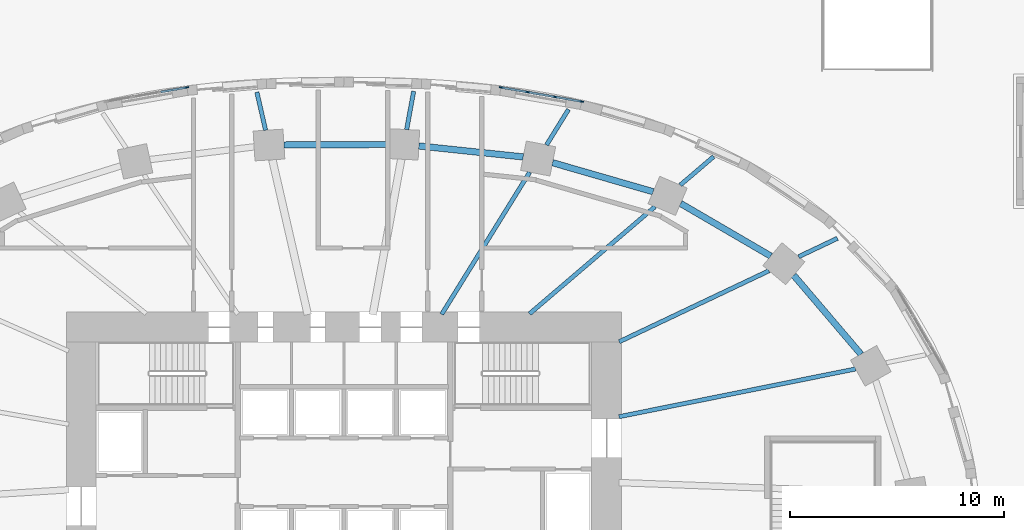
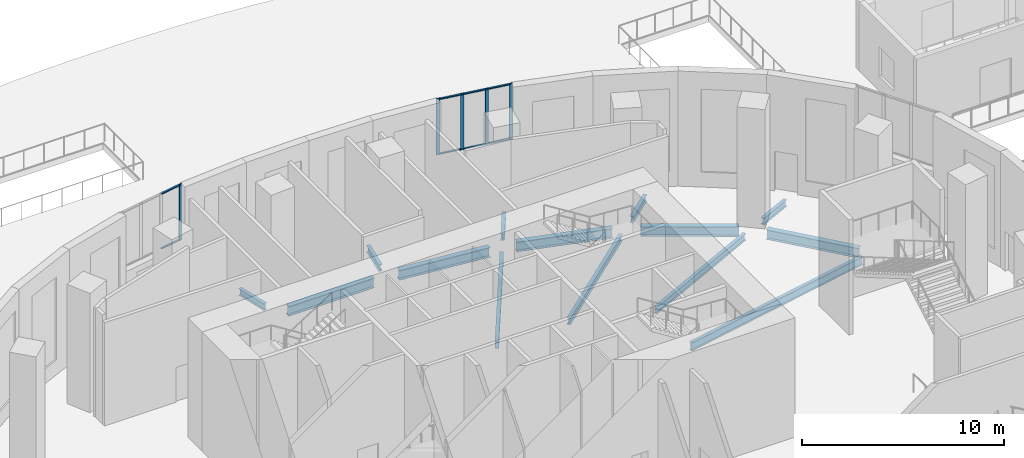
# One storey, part 6 of 27: 14 beams, 13 members, 2 elements without a shape of their own.
"""IFC4 building model written with IfcOpenShell, lengths in metres."""

from ifc_helpers import new_model, si_unit, direction, frame, origin, origin_2d, place, context, subcontext, project, spatial, rectangle, i_section, extrude, material, material_profile, profile_set, type_object, element, aggregate, save


model = new_model("IFC4")

# Units and contexts
model_context = context("Model", 3, precision=1e-05, world=origin(), true_north=direction((0.0, 1.0)))
body_context = subcontext(model_context, "Body", "Model", "MODEL_VIEW")
ifc_project = project(units=[si_unit("LENGTHUNIT", "METRE"), si_unit("AREAUNIT", "SQUARE_METRE"), si_unit("VOLUMEUNIT", "CUBIC_METRE"), si_unit("PLANEANGLEUNIT", "RADIAN"), si_unit("MASSUNIT", "GRAM", prefix="KILO")], contexts=[model_context])

# Site, building, storey
site_placement = place(None, origin())
site = spatial("IfcSite", under=ifc_project, at=site_placement, CompositionType="ELEMENT")
building_placement = place(site_placement, origin())
building = spatial("IfcBuilding", under=site, at=building_placement, Name="Rubra Terraces Tower", CompositionType="ELEMENT")
storey_placement = place(building_placement, origin())
storey = spatial("IfcBuildingStorey", under=building, at=storey_placement, Name="L00", CompositionType="ELEMENT", Elevation=0.0)

# Beams
ifc_material_1 = material(Name="Steel Q355B", Category="steel")
ifc_material_profile_1 = material_profile(ifc_material_1, i_section(OverallWidth=0.199951171875, OverallDepth=0.39990234375, WebThickness=0.008056640625, FlangeThickness=0.012939453125, at=origin_2d()), Name="HN 400x200x8x13")
ifc_profile_set_1 = profile_set([ifc_material_profile_1], Name="Steel Q355B")
beam_type_1 = type_object("IfcBeamType", Name="CANTILEVER BEAM HN 400x200x8x13", PredefinedType="BEAM", material=ifc_profile_set_1)
beam_1_placement = place(storey_placement, frame((21.2958984375, 14.595947265625, -0.550048828125), z_axis=(0.903591368952, 0.428395422426, 0.0), x_axis=(-0.428395422426, 0.903591368952, 0.0)))
element("IfcBeam", 1, at=beam_1_placement, inside=storey, type_object=beam_type_1, Name="beam-L00-cant-03", PredefinedType="BEAM", context=body_context, shape_type="SweptSolid", body=[
    extrude(i_section(OverallWidth=0.199951171875, OverallDepth=0.39990234375, WebThickness=0.008056640625, FlangeThickness=0.012939453125, at=origin_2d()), origin(), (0.0, 0.0, 1.0), 2.003173828125),
])
beam_2_placement = place(storey_placement, frame((15.7509765625, 17.947998046875, -0.550048828125), z_axis=(0.760464221836, 0.649379832847, 0.0), x_axis=(-0.649379832847, 0.760464221836, 0.0)))
element("IfcBeam", 2, at=beam_2_placement, inside=storey, type_object=beam_type_1, Name="beam-L00-cant-04", PredefinedType="BEAM", context=body_context, shape_type="SweptSolid", body=[
    extrude(i_section(OverallWidth=0.199951171875, OverallDepth=0.39990234375, WebThickness=0.008056640625, FlangeThickness=0.012939453125, at=origin_2d()), origin(), (0.0, 0.0, 1.0), 2.052734375),
])
beam_3_placement = place(storey_placement, frame((9.488037109375, 19.827880859375, -0.550048828125), z_axis=(0.526264261804, 0.850321072741, 0.0), x_axis=(-0.850321072741, 0.526264261804, 0.0)))
element("IfcBeam", 3, at=beam_3_placement, inside=storey, type_object=beam_type_1, Name="beam-L00-cant-05", PredefinedType="BEAM", context=body_context, shape_type="SweptSolid", body=[
    extrude(i_section(OverallWidth=0.199951171875, OverallDepth=0.39990234375, WebThickness=0.008056640625, FlangeThickness=0.012939453125, at=origin_2d()), origin(), (0.0, 0.0, 1.0), 1.95361328125),
])
beam_4_placement = place(storey_placement, frame((2.93798828125, 20.549072265625, -0.550048828125), z_axis=(0.180016854408, 0.983663525871, 0.0), x_axis=(-0.983663525871, 0.180016854408, 0.0)))
element("IfcBeam", 4, at=beam_4_placement, inside=storey, type_object=beam_type_1, Name="beam-L00-cant-06", PredefinedType="BEAM", context=body_context, shape_type="SweptSolid", body=[
    extrude(i_section(OverallWidth=0.199951171875, OverallDepth=0.39990234375, WebThickness=0.008056640625, FlangeThickness=0.012939453125, at=origin_2d()), origin(), (0.0, 0.0, 1.0), 1.82275390625),
])
beam_5_placement = place(storey_placement, frame((-3.6669921875, 20.514892578125, -0.550048828125), z_axis=(-0.223175715845, 0.974778231116, 0.0), x_axis=(-0.974778231116, -0.223175715845, 0.0)))
element("IfcBeam", 5, at=beam_5_placement, inside=storey, type_object=beam_type_1, Name="beam-L00-cant-07", PredefinedType="BEAM", context=body_context, shape_type="SweptSolid", body=[
    extrude(i_section(OverallWidth=0.199951171875, OverallDepth=0.39990234375, WebThickness=0.008056640625, FlangeThickness=0.012939453125, at=origin_2d()), origin(), (0.0, 0.0, 1.0), 1.832275390625),
])

# Curtain wall, members
ifc_material_2 = material(Name="Aluminium and glass", Category="aluminium")
curtain_wall_type = type_object("IfcCurtainWallType", Name="Curtain wall Entrance screen glazing", PredefinedType="NOTDEFINED", material=ifc_material_2)
curtain_wall_1_placement = place(storey_placement, origin())
curtain_wall_1 = element("IfcCurtainWall", 6, at=curtain_wall_1_placement, inside=storey, type_object=curtain_wall_type, Name="L00 entrance screen bay 8", PredefinedType="NOTDEFINED")
ifc_material_3 = material(Name="Aluminium, anodised dark grey", Category="aluminium")
ifc_material_profile_2 = material_profile(ifc_material_3, rectangle(XDim=0.06005859375, YDim=0.179931640625, at=origin_2d()), Name="AL 60x180")
ifc_profile_set_2 = profile_set([ifc_material_profile_2], Name="Aluminium, anodised dark grey")
member_type_1 = type_object("IfcMemberType", Name="Entrance screen glazing mullion 60 x 180", PredefinedType="MULLION", material=ifc_profile_set_2)
member_1_placement = place(storey_placement, frame((11.13037109375, 21.859375, 3.550048828125), z_axis=(0.0, 0.0, 1.0), x_axis=(-0.172816985997, -0.984953952909, 0.0)))
member_1 = element("IfcMember", 7, at=member_1_placement, type_object=member_type_1, Name="CW5 mullion 1", PredefinedType="MULLION", context=body_context, shape_type="SweptSolid", body=[
    extrude(rectangle(XDim=0.06005859375, YDim=0.179931640625, at=origin_2d()), origin(), (0.0, 0.0, 1.0), 3.39990234375),
])
member_2_placement = place(storey_placement, frame((9.88330078125, 22.078125, 3.550048828125), z_axis=(0.0, 0.0, 1.0), x_axis=(-0.172816985997, -0.984953952909, 0.0)))
member_2 = element("IfcMember", 8, at=member_2_placement, type_object=member_type_1, Name="CW5 mullion 2", PredefinedType="MULLION", context=body_context, shape_type="SweptSolid", body=[
    extrude(rectangle(XDim=0.06005859375, YDim=0.179931640625, at=origin_2d()), origin(), (0.0, 0.0, 1.0), 3.39990234375),
])
member_3_placement = place(storey_placement, frame((8.606689453125, 22.302001953125, 3.550048828125), z_axis=(0.0, 0.0, 1.0), x_axis=(-0.172816985997, -0.984953952909, 0.0)))
member_3 = element("IfcMember", 9, at=member_3_placement, type_object=member_type_1, Name="CW5 mullion 3", PredefinedType="MULLION", context=body_context, shape_type="SweptSolid", body=[
    extrude(rectangle(XDim=0.06005859375, YDim=0.179931640625, at=origin_2d()), origin(), (0.0, 0.0, 1.0), 3.39990234375),
])
member_4_placement = place(storey_placement, frame((7.359619140625, 22.52099609375, 3.550048828125), z_axis=(0.0, 0.0, 1.0), x_axis=(-0.172816985997, -0.984953952909, 0.0)))
member_4 = element("IfcMember", 10, at=member_4_placement, type_object=member_type_1, Name="CW5 mullion 4", PredefinedType="MULLION", context=body_context, shape_type="SweptSolid", body=[
    extrude(rectangle(XDim=0.06005859375, YDim=0.179931640625, at=origin_2d()), origin(), (0.0, 0.0, 1.0), 3.39990234375),
])

# Curtain wall, member
curtain_wall_2_placement = place(storey_placement, origin())
curtain_wall_2 = element("IfcCurtainWall", 11, at=curtain_wall_2_placement, inside=storey, type_object=curtain_wall_type, Name="L00 entrance screen bay 13", PredefinedType="NOTDEFINED")
member_5_placement = place(storey_placement, frame((-7.359619140625, 22.52099609375, 3.550048828125), z_axis=(0.0, 0.0, 1.0), x_axis=(0.172816985997, -0.984953952909, 0.0)))
member_5 = element("IfcMember", 12, at=member_5_placement, type_object=member_type_1, Name="CW5 mullion 1", PredefinedType="MULLION", context=body_context, shape_type="SweptSolid", body=[
    extrude(rectangle(XDim=0.06005859375, YDim=0.179931640625, at=origin_2d()), origin(), (0.0, 0.0, 1.0), 3.39990234375),
])

# Member
ifc_material_profile_3 = material_profile(ifc_material_3, rectangle(XDim=0.10009765625, YDim=0.06005859375, at=origin_2d()), Name="AL 100x60")
ifc_profile_set_3 = profile_set([ifc_material_profile_3], Name="Aluminium, anodised dark grey")
member_type_2 = type_object("IfcMemberType", Name="Entrance screen glazing transom 100 x 60", PredefinedType="USERDEFINED", material=ifc_profile_set_3)
member_6_placement = place(storey_placement, frame((11.100830078125, 21.864501953125, 3.60009765625), z_axis=(-0.984946143475, 0.172861489216, 0.0), x_axis=(-0.172861489216, -0.984946143475, 0.0)))
member_6 = element("IfcMember", 13, at=member_6_placement, type_object=member_type_2, Name="CW5 transom 1.1", ObjectType="TRANSOM", PredefinedType="USERDEFINED", context=body_context, shape_type="SweptSolid", body=[
    extrude(rectangle(XDim=0.10009765625, YDim=0.06005859375, at=origin_2d()), origin(), (0.0, 0.0, 1.0), 1.2060546875),
])

member_7_placement = place(storey_placement, frame((11.100830078125, 21.864501953125, 6.89990234375), z_axis=(-0.984946143475, 0.172861489216, 0.0), x_axis=(-0.172861489216, -0.984946143475, 0.0)))
member_7 = element("IfcMember", 14, at=member_7_placement, type_object=member_type_2, Name="CW5 transom 1.2", ObjectType="TRANSOM", PredefinedType="USERDEFINED", context=body_context, shape_type="SweptSolid", body=[
    extrude(rectangle(XDim=0.10009765625, YDim=0.06005859375, at=origin_2d()), origin(), (0.0, 0.0, 1.0), 1.2060546875),
])

member_8_placement = place(storey_placement, frame((9.853759765625, 22.083251953125, 3.60009765625), z_axis=(-0.984954075797, 0.172816285607, 0.0), x_axis=(-0.172816285607, -0.984954075797, 0.0)))
member_8 = element("IfcMember", 15, at=member_8_placement, type_object=member_type_2, Name="CW5 transom 2.1", ObjectType="TRANSOM", PredefinedType="USERDEFINED", context=body_context, shape_type="SweptSolid", body=[
    extrude(rectangle(XDim=0.10009765625, YDim=0.06005859375, at=origin_2d()), origin(), (0.0, 0.0, 1.0), 1.236083984375),
])

member_9_placement = place(storey_placement, frame((9.853759765625, 22.083251953125, 6.89990234375), z_axis=(-0.984954075797, 0.172816285607, 0.0), x_axis=(-0.172816285607, -0.984954075797, 0.0)))
member_9 = element("IfcMember", 16, at=member_9_placement, type_object=member_type_2, Name="CW5 transom 2.2", ObjectType="TRANSOM", PredefinedType="USERDEFINED", context=body_context, shape_type="SweptSolid", body=[
    extrude(rectangle(XDim=0.10009765625, YDim=0.06005859375, at=origin_2d()), origin(), (0.0, 0.0, 1.0), 1.236083984375),
])

member_10_placement = place(storey_placement, frame((8.5771484375, 22.307373046875, 3.60009765625), z_axis=(-0.984980587948, 0.172665113342, 0.0), x_axis=(-0.172665113342, -0.984980587948, 0.0)))
member_10 = element("IfcMember", 17, at=member_10_placement, type_object=member_type_2, Name="CW5 transom 3.1", ObjectType="TRANSOM", PredefinedType="USERDEFINED", context=body_context, shape_type="SweptSolid", body=[
    extrude(rectangle(XDim=0.10009765625, YDim=0.06005859375, at=origin_2d()), origin(), (0.0, 0.0, 1.0), 1.2060546875),
])

member_11_placement = place(storey_placement, frame((8.5771484375, 22.307373046875, 6.89990234375), z_axis=(-0.984980587948, 0.172665113342, 0.0), x_axis=(-0.172665113342, -0.984980587948, 0.0)))
member_11 = element("IfcMember", 18, at=member_11_placement, type_object=member_type_2, Name="CW5 transom 3.2", ObjectType="TRANSOM", PredefinedType="USERDEFINED", context=body_context, shape_type="SweptSolid", body=[
    extrude(rectangle(XDim=0.10009765625, YDim=0.06005859375, at=origin_2d()), origin(), (0.0, 0.0, 1.0), 1.2060546875),
])

aggregate(curtain_wall_1, [member_1, member_2, member_3, member_4, member_6, member_7, member_8, member_9, member_10, member_11])

member_12_placement = place(storey_placement, frame((-7.38916015625, 22.515625, 3.60009765625), z_axis=(-0.984980587948, -0.172665113342, 0.0), x_axis=(0.172665113342, -0.984980587948, 0.0)))
member_12 = element("IfcMember", 19, at=member_12_placement, type_object=member_type_2, Name="CW5 transom 1.1", ObjectType="TRANSOM", PredefinedType="USERDEFINED", context=body_context, shape_type="SweptSolid", body=[
    extrude(rectangle(XDim=0.10009765625, YDim=0.06005859375, at=origin_2d()), origin(), (0.0, 0.0, 1.0), 1.2060546875),
])

member_13_placement = place(storey_placement, frame((-7.38916015625, 22.515625, 6.89990234375), z_axis=(-0.984980587948, -0.172665113342, 0.0), x_axis=(0.172665113342, -0.984980587948, 0.0)))
member_13 = element("IfcMember", 20, at=member_13_placement, type_object=member_type_2, Name="CW5 transom 1.2", ObjectType="TRANSOM", PredefinedType="USERDEFINED", context=body_context, shape_type="SweptSolid", body=[
    extrude(rectangle(XDim=0.10009765625, YDim=0.06005859375, at=origin_2d()), origin(), (0.0, 0.0, 1.0), 1.2060546875),
])

aggregate(curtain_wall_2, [member_5, member_12, member_13])

# Beams
ifc_material_profile_4 = material_profile(ifc_material_1, i_section(OverallWidth=0.199951171875, OverallDepth=0.39990234375, WebThickness=0.008056640625, FlangeThickness=0.012939453125, at=origin_2d()), Name="HN 400x200x8x13")
ifc_profile_set_4 = profile_set([ifc_material_profile_4], Name="Steel Q355B")
beam_type_2 = type_object("IfcBeamType", Name="FLOOR BEAM HN 400x200x8x13", PredefinedType="BEAM", material=ifc_profile_set_4)
beam_6_placement = place(storey_placement, frame((19.904052734375, 13.93603515625, -0.550048828125), z_axis=(-0.903612237836, -0.428351402045, 0.0), x_axis=(0.428351402045, -0.903612237836, 0.0)))
element("IfcBeam", 21, at=beam_6_placement, inside=storey, type_object=beam_type_2, Name="beam-L00-floor-03", PredefinedType="BEAM", context=body_context, shape_type="SweptSolid", body=[
    extrude(i_section(OverallWidth=0.199951171875, OverallDepth=0.39990234375, WebThickness=0.008056640625, FlangeThickness=0.012939453125, at=origin_2d()), origin(), (0.0, 0.0, 1.0), 7.760009765625),
])
beam_7_placement = place(storey_placement, frame((14.56298828125, 16.93408203125, -0.550048828125), z_axis=(-0.760494401061, -0.649344489431, 0.0), x_axis=(0.649344489431, -0.760494401061, 0.0)))
element("IfcBeam", 22, at=beam_7_placement, inside=storey, type_object=beam_type_2, Name="beam-L00-floor-04", PredefinedType="BEAM", context=body_context, shape_type="SweptSolid", body=[
    extrude(i_section(OverallWidth=0.199951171875, OverallDepth=0.39990234375, WebThickness=0.008056640625, FlangeThickness=0.012939453125, at=origin_2d()), origin(), (0.0, 0.0, 1.0), 7.718505859375),
])
beam_8_placement = place(storey_placement, frame((8.699951171875, 18.555908203125, -0.550048828125), z_axis=(-0.526285914839, -0.850307671283, 0.0), x_axis=(0.850307671283, -0.526285914839, 0.0)))
element("IfcBeam", 23, at=beam_8_placement, inside=storey, type_object=beam_type_2, Name="beam-L00-floor-05", PredefinedType="BEAM", context=body_context, shape_type="SweptSolid", body=[
    extrude(i_section(OverallWidth=0.199951171875, OverallDepth=0.39990234375, WebThickness=0.008056640625, FlangeThickness=0.012939453125, at=origin_2d()), origin(), (0.0, 0.0, 1.0), 7.830078125),
])
ifc_material_profile_5 = material_profile(ifc_material_1, i_section(OverallWidth=0.198974609375, OverallDepth=0.49609375, WebThickness=0.009033203125, FlangeThickness=0.013916015625, at=origin_2d()), Name="HN 496x199x9x14")
ifc_profile_set_5 = profile_set([ifc_material_profile_5], Name="Steel Q355B")
beam_type_3 = type_object("IfcBeamType", Name="FLOOR BEAM HN 496x199x9x14", PredefinedType="BEAM", material=ifc_profile_set_5)
beam_9_placement = place(storey_placement, frame((23.9560546875, 9.337890625, -0.597900390625), z_axis=(-0.980204035637, -0.197990021264, 0.0), x_axis=(0.197990021264, -0.980204035637, 0.0)))
element("IfcBeam", 24, at=beam_9_placement, inside=storey, type_object=beam_type_3, Name="beam-L00-floor-02", PredefinedType="BEAM", context=body_context, shape_type="SweptSolid", body=[
    extrude(i_section(OverallWidth=0.198974609375, OverallDepth=0.49609375, WebThickness=0.009033203125, FlangeThickness=0.013916015625, at=origin_2d()), origin(), (0.0, 0.0, 1.0), 11.297607421875),
])
ifc_material_profile_6 = material_profile(ifc_material_1, i_section(OverallWidth=0.300048828125, OverallDepth=0.587890625, WebThickness=0.011962890625, FlangeThickness=0.02001953125, at=origin_2d()), Name="HM 588x300x12x20")
ifc_profile_set_6 = profile_set([ifc_material_profile_6], Name="Steel Q355B")
beam_type_4 = type_object("IfcBeamType", Name="SPANDREL BEAM HM 588x300x12x20", PredefinedType="SPANDREL", material=ifc_profile_set_6)
beam_10_placement = place(storey_placement, frame((24.212890625, 10.02587890625, -0.64404296875), z_axis=(-0.648447050824, 0.761259760054, 0.0), x_axis=(-0.761259760054, -0.648447050824, 0.0)))
element("IfcBeam", 25, at=beam_10_placement, inside=storey, type_object=beam_type_4, Name="beam-L00-spandrel-02", PredefinedType="SPANDREL", context=body_context, shape_type="SweptSolid", body=[
    extrude(i_section(OverallWidth=0.300048828125, OverallDepth=0.587890625, WebThickness=0.011962890625, FlangeThickness=0.02001953125, at=origin_2d()), origin(), (0.0, 0.0, 1.0), 4.860595703125),
])
beam_11_placement = place(storey_placement, frame((19.987060546875, 14.6240234375, -0.64404296875), z_axis=(-0.863806081452, 0.503824427402, 0.0), x_axis=(-0.503824427402, -0.863806081452, 0.0)))
element("IfcBeam", 26, at=beam_11_placement, inside=storey, type_object=beam_type_4, Name="beam-L00-spandrel-03", PredefinedType="SPANDREL", context=body_context, shape_type="SweptSolid", body=[
    extrude(i_section(OverallWidth=0.300048828125, OverallDepth=0.587890625, WebThickness=0.011962890625, FlangeThickness=0.02001953125, at=origin_2d()), origin(), (0.0, 0.0, 1.0), 4.886474609375),
])
beam_12_placement = place(storey_placement, frame((14.47900390625, 17.636962890625, -0.64404296875), z_axis=(-0.960743980202, 0.277436487337, 0.0), x_axis=(-0.277436487337, -0.960743980202, 0.0)))
element("IfcBeam", 27, at=beam_12_placement, inside=storey, type_object=beam_type_4, Name="beam-L00-spandrel-04", PredefinedType="SPANDREL", context=body_context, shape_type="SweptSolid", body=[
    extrude(i_section(OverallWidth=0.300048828125, OverallDepth=0.587890625, WebThickness=0.011962890625, FlangeThickness=0.02001953125, at=origin_2d()), origin(), (0.0, 0.0, 1.0), 4.90234375),
])
beam_13_placement = place(storey_placement, frame((8.39501953125, 19.26611328125, -0.64404296875), z_axis=(-0.994495375694, 0.104780473964, 0.0), x_axis=(-0.104780473964, -0.994495375694, 0.0)))
element("IfcBeam", 28, at=beam_13_placement, inside=storey, type_object=beam_type_4, Name="beam-L00-spandrel-05", PredefinedType="SPANDREL", context=body_context, shape_type="SweptSolid", body=[
    extrude(i_section(OverallWidth=0.300048828125, OverallDepth=0.587890625, WebThickness=0.011962890625, FlangeThickness=0.02001953125, at=origin_2d()), origin(), (0.0, 0.0, 1.0), 4.9140625),
])
beam_14_placement = place(storey_placement, frame((2.110107421875, 19.85107421875, -0.64404296875), z_axis=(-0.999987924698, -0.004914311469, 0.0), x_axis=(0.004914311469, -0.999987924698, 0.0)))
element("IfcBeam", 29, at=beam_14_placement, inside=storey, type_object=beam_type_4, Name="beam-L00-spandrel-06", PredefinedType="SPANDREL", context=body_context, shape_type="SweptSolid", body=[
    extrude(i_section(OverallWidth=0.300048828125, OverallDepth=0.587890625, WebThickness=0.011962890625, FlangeThickness=0.02001953125, at=origin_2d()), origin(), (0.0, 0.0, 1.0), 4.918212890625),
])

save(model, "model.ifc")
